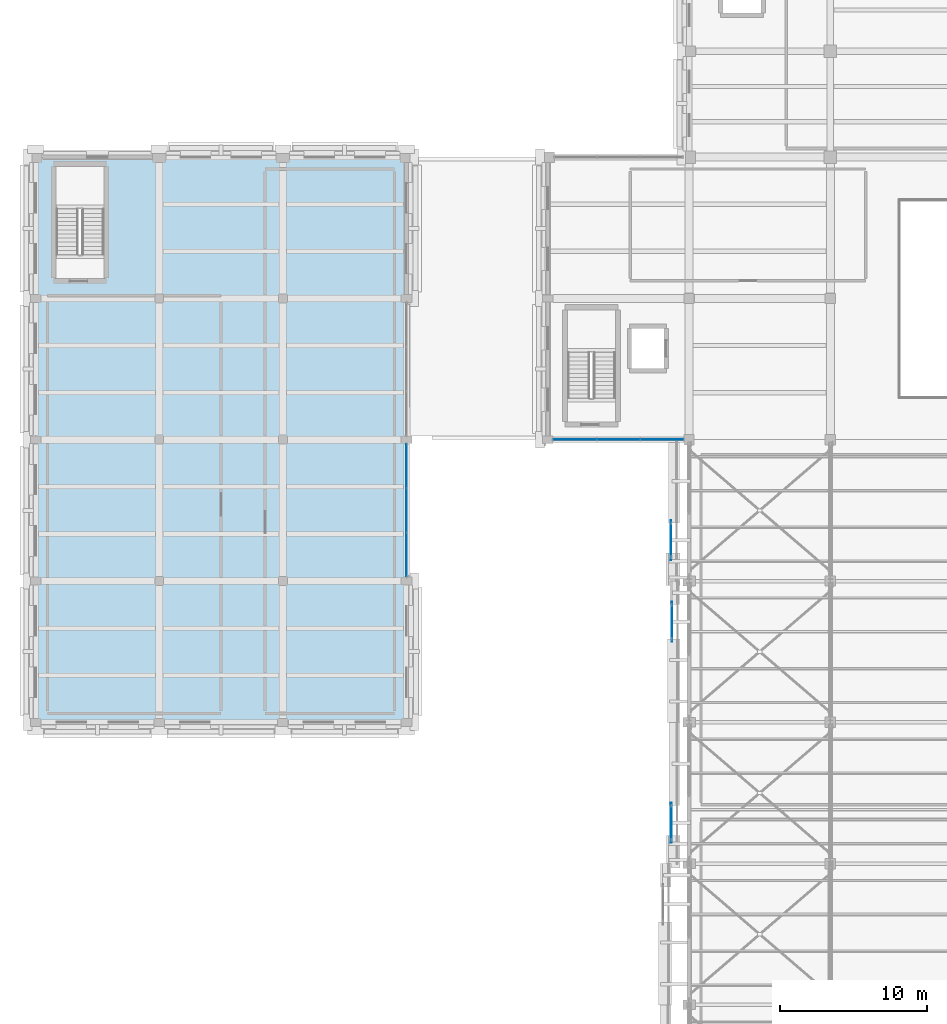
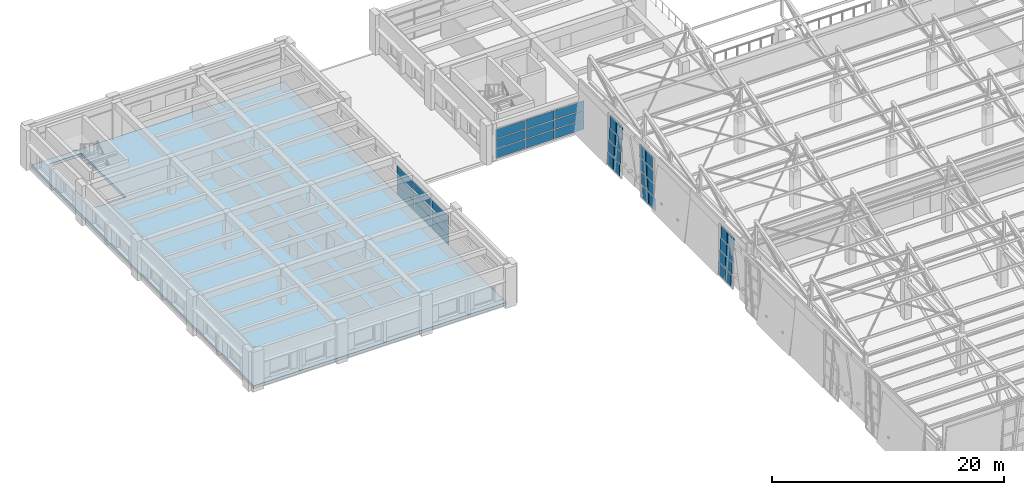
# One storey, part 34 of 71: 42 plates, 1 slab, 5 elements without a shape of their own.
"""IFC4 building model written with IfcOpenShell, lengths in metres."""

from ifc_helpers import new_model, si_unit, direction, frame, origin, origin_2d, place, context, subcontext, project, spatial, polyline, rectangle, outline, extrude, material, layer, layer_set, type_object, element, aggregate, save


model = new_model("IFC4")

# Units and contexts
model_context = context("Model", 3, precision=1e-05, world=origin(), true_north=direction((0.0, 1.0)))
body_context = subcontext(model_context, "Body", "Model", "MODEL_VIEW")
ifc_project = project(units=[si_unit("LENGTHUNIT", "METRE"), si_unit("AREAUNIT", "SQUARE_METRE"), si_unit("VOLUMEUNIT", "CUBIC_METRE"), si_unit("PLANEANGLEUNIT", "RADIAN"), si_unit("MASSUNIT", "GRAM", prefix="KILO")], contexts=[model_context])

# Site, building, storey
site_placement = place(None, origin())
site = spatial("IfcSite", under=ifc_project, at=site_placement, CompositionType="ELEMENT")
building_placement = place(site_placement, origin())
building = spatial("IfcBuilding", under=site, at=building_placement, Name="Bempovik Park Faculty of Sciences", CompositionType="ELEMENT")
storey_placement = place(building_placement, frame((0.0, 0.0, 14.10009765625)))
storey = spatial("IfcBuildingStorey", under=building, at=storey_placement, Name="L03", CompositionType="ELEMENT", Elevation=14.10009765625)

# Curtain wall, plates
ifc_material_1 = material(Name="Tempered laminated low-E glass", Category="glass")
ifc_layer_1 = layer(ifc_material_1, 0.159912109375)
ifc_layer_set_1 = layer_set([ifc_layer_1], Name="Tempered laminated low-E glass")
curtain_wall_type_1 = type_object("IfcCurtainWallType", Name="CW-41 Curtain 6600x3800", PredefinedType="USERDEFINED", material=ifc_layer_set_1)
curtain_wall_1_placement = place(storey_placement, origin())
curtain_wall_1 = element("IfcCurtainWall", 1, at=curtain_wall_1_placement, inside=storey, type_object=curtain_wall_type_1, Name="L03 Unitised Curtain Wall (67.8,50.4)", ObjectType="UNITISED CURTAIN WALL", PredefinedType="USERDEFINED")
ifc_layer_2 = layer(ifc_material_1, 0.033935546875)
ifc_layer_set_2 = layer_set([ifc_layer_2], Name="Tempered laminated low-E glass")
plate_type_1 = type_object("IfcPlateType", Name="CP-19 Curtain Panel 34mm", PredefinedType="CURTAIN_PANEL", material=ifc_layer_set_2)
plate_1_placement = place(storey_placement, frame((52.234619140625, 67.800048828125, 1.06640625), z_axis=(0.0, 0.0, 1.0), x_axis=(1.0, 0.0, 0.0)))
plate_1 = element("IfcPlate", 2, at=plate_1_placement, type_object=plate_type_1, Name="CW-BAY-L03-678-504 Panel 0-1", PredefinedType="CURTAIN_PANEL", context=body_context, shape_type="SweptSolid", body=[
    extrude(rectangle(XDim=2.88525390625, YDim=0.035888671875, at=origin_2d()), origin(), (0.0, 0.0, 1.0), 0.94677734375),
])
plate_2_placement = place(storey_placement, frame((52.234619140625, 67.800048828125, 2.09326171875), z_axis=(0.0, 0.0, 1.0), x_axis=(1.0, 0.0, 0.0)))
plate_2 = element("IfcPlate", 3, at=plate_2_placement, type_object=plate_type_1, Name="CW-BAY-L03-678-504 Panel 0-2", PredefinedType="CURTAIN_PANEL", context=body_context, shape_type="SweptSolid", body=[
    extrude(rectangle(XDim=2.88525390625, YDim=0.035888671875, at=origin_2d()), origin(), (0.0, 0.0, 1.0), 0.94677734375),
])
plate_3_placement = place(storey_placement, frame((55.199951171875, 67.800048828125, 1.06640625), z_axis=(0.0, 0.0, 1.0), x_axis=(1.0, 0.0, 0.0)))
plate_3 = element("IfcPlate", 4, at=plate_3_placement, type_object=plate_type_1, Name="CW-BAY-L03-678-504 Panel 1-1", PredefinedType="CURTAIN_PANEL", context=body_context, shape_type="SweptSolid", body=[
    extrude(rectangle(XDim=2.88525390625, YDim=0.035888671875, at=origin_2d()), origin(), (0.0, 0.0, 1.0), 0.94677734375),
])
plate_4_placement = place(storey_placement, frame((55.199951171875, 67.800048828125, 2.09326171875), z_axis=(0.0, 0.0, 1.0), x_axis=(1.0, 0.0, 0.0)))
plate_4 = element("IfcPlate", 5, at=plate_4_placement, type_object=plate_type_1, Name="CW-BAY-L03-678-504 Panel 1-2", PredefinedType="CURTAIN_PANEL", context=body_context, shape_type="SweptSolid", body=[
    extrude(rectangle(XDim=2.88525390625, YDim=0.035888671875, at=origin_2d()), origin(), (0.0, 0.0, 1.0), 0.94677734375),
])
plate_5_placement = place(storey_placement, frame((58.165283203125, 67.800048828125, 1.06640625), z_axis=(0.0, 0.0, 1.0), x_axis=(1.0, 0.0, 0.0)))
plate_5 = element("IfcPlate", 6, at=plate_5_placement, type_object=plate_type_1, Name="CW-BAY-L03-678-504 Panel 2-1", PredefinedType="CURTAIN_PANEL", context=body_context, shape_type="SweptSolid", body=[
    extrude(rectangle(XDim=2.88525390625, YDim=0.035888671875, at=origin_2d()), origin(), (0.0, 0.0, 1.0), 0.94677734375),
])
plate_6_placement = place(storey_placement, frame((58.165283203125, 67.800048828125, 2.09326171875), z_axis=(0.0, 0.0, 1.0), x_axis=(1.0, 0.0, 0.0)))
plate_6 = element("IfcPlate", 7, at=plate_6_placement, type_object=plate_type_1, Name="CW-BAY-L03-678-504 Panel 2-2", PredefinedType="CURTAIN_PANEL", context=body_context, shape_type="SweptSolid", body=[
    extrude(rectangle(XDim=2.88525390625, YDim=0.035888671875, at=origin_2d()), origin(), (0.0, 0.0, 1.0), 0.94677734375),
])

ifc_layer_3 = layer(ifc_material_1, 0.159912109375)
ifc_layer_set_3 = layer_set([ifc_layer_3], Name="Tempered laminated low-E glass")
curtain_wall_type_2 = type_object("IfcCurtainWallType", Name="CW-42 Curtain 6400x3700", PredefinedType="USERDEFINED", material=ifc_layer_set_3)
curtain_wall_2_placement = place(storey_placement, origin())
curtain_wall_2 = element("IfcCurtainWall", 8, at=curtain_wall_2_placement, inside=storey, type_object=curtain_wall_type_2, Name="L03 Unitised Curtain Wall (40.8,58.2)", ObjectType="UNITISED CURTAIN WALL", PredefinedType="USERDEFINED")
ifc_layer_4 = layer(ifc_material_1, 0.028076171875)
ifc_layer_set_4 = layer_set([ifc_layer_4], Name="Tempered laminated low-E glass")
plate_type_2 = type_object("IfcPlateType", Name="CP-20 Curtain Panel 28mm", PredefinedType="CURTAIN_PANEL", material=ifc_layer_set_4)
plate_7_placement = place(storey_placement, frame((40.800048828125, 59.981201171875, 1.06640625), z_axis=(0.0, 0.0, 1.0), x_axis=(0.0, 1.0, 0.0)))
plate_7 = element("IfcPlate", 9, at=plate_7_placement, type_object=plate_type_2, Name="CW-BAY-L03-408-582 Panel 0-1", PredefinedType="CURTAIN_PANEL", context=body_context, shape_type="SweptSolid", body=[
    extrude(rectangle(XDim=2.938720703125, YDim=0.035888671875, at=origin_2d()), origin(), (0.0, 0.0, 1.0), 0.94677734375),
])
plate_8_placement = place(storey_placement, frame((40.800048828125, 59.981201171875, 2.09326171875), z_axis=(0.0, 0.0, 1.0), x_axis=(0.0, 1.0, 0.0)))
plate_8 = element("IfcPlate", 10, at=plate_8_placement, type_object=plate_type_2, Name="CW-BAY-L03-408-582 Panel 0-2", PredefinedType="CURTAIN_PANEL", context=body_context, shape_type="SweptSolid", body=[
    extrude(rectangle(XDim=2.938720703125, YDim=0.035888671875, at=origin_2d()), origin(), (0.0, 0.0, 1.0), 0.94677734375),
])
plate_9_placement = place(storey_placement, frame((40.800048828125, 63.0, 1.06640625), z_axis=(0.0, 0.0, 1.0), x_axis=(0.0, 1.0, 0.0)))
plate_9 = element("IfcPlate", 11, at=plate_9_placement, type_object=plate_type_2, Name="CW-BAY-L03-408-582 Panel 1-1", PredefinedType="CURTAIN_PANEL", context=body_context, shape_type="SweptSolid", body=[
    extrude(rectangle(XDim=2.938720703125, YDim=0.035888671875, at=origin_2d()), origin(), (0.0, 0.0, 1.0), 0.94677734375),
])
plate_10_placement = place(storey_placement, frame((40.800048828125, 63.0, 2.09326171875), z_axis=(0.0, 0.0, 1.0), x_axis=(0.0, 1.0, 0.0)))
plate_10 = element("IfcPlate", 12, at=plate_10_placement, type_object=plate_type_2, Name="CW-BAY-L03-408-582 Panel 1-2", PredefinedType="CURTAIN_PANEL", context=body_context, shape_type="SweptSolid", body=[
    extrude(rectangle(XDim=2.938720703125, YDim=0.035888671875, at=origin_2d()), origin(), (0.0, 0.0, 1.0), 0.94677734375),
])
plate_11_placement = place(storey_placement, frame((40.800048828125, 66.018798828125, 1.06640625), z_axis=(0.0, 0.0, 1.0), x_axis=(0.0, 1.0, 0.0)))
plate_11 = element("IfcPlate", 13, at=plate_11_placement, type_object=plate_type_2, Name="CW-BAY-L03-408-582 Panel 2-1", PredefinedType="CURTAIN_PANEL", context=body_context, shape_type="SweptSolid", body=[
    extrude(rectangle(XDim=2.938720703125, YDim=0.035888671875, at=origin_2d()), origin(), (0.0, 0.0, 1.0), 0.94677734375),
])
plate_12_placement = place(storey_placement, frame((40.800048828125, 66.018798828125, 2.09326171875), z_axis=(0.0, 0.0, 1.0), x_axis=(0.0, 1.0, 0.0)))
plate_12 = element("IfcPlate", 14, at=plate_12_placement, type_object=plate_type_2, Name="CW-BAY-L03-408-582 Panel 2-2", PredefinedType="CURTAIN_PANEL", context=body_context, shape_type="SweptSolid", body=[
    extrude(rectangle(XDim=2.938720703125, YDim=0.035888671875, at=origin_2d()), origin(), (0.0, 0.0, 1.0), 0.94677734375),
])

ifc_layer_5 = layer(ifc_material_1, 0.159912109375)
ifc_layer_set_5 = layer_set([ifc_layer_5], Name="Tempered laminated low-E glass")
curtain_wall_type_3 = type_object("IfcCurtainWallType", Name="CW-33 Curtain 2400x4000", PredefinedType="USERDEFINED", material=ifc_layer_set_5)
curtain_wall_3_placement = place(storey_placement, origin())
curtain_wall_3 = element("IfcCurtainWall", 15, at=curtain_wall_3_placement, inside=storey, type_object=curtain_wall_type_3, Name="L03 Crystal Slantwise Light Fold (60.0,39.0)", ObjectType="UNITISED CURTAIN WALL", PredefinedType="USERDEFINED")
ifc_layer_6 = layer(ifc_material_1, 0.035888671875)
ifc_layer_set_6 = layer_set([ifc_layer_6], Name="Tempered laminated low-E glass")
plate_type_3 = type_object("IfcPlateType", Name="CP-22 Curtain Panel 36mm", PredefinedType="CURTAIN_PANEL", material=ifc_layer_set_6)
plate_13_placement = place(storey_placement, frame((58.78857421875, 41.455078125, -0.000244140625), z_axis=(0.0, 0.0, 1.0), x_axis=(0.0, 1.0, 0.0)))
plate_13 = element("IfcPlate", 16, at=plate_13_placement, type_object=plate_type_3, Name="CW-FOLD-L03-600-390 Panel 0-0", PredefinedType="CURTAIN_PANEL", context=body_context, shape_type="SweptSolid", body=[
    extrude(rectangle(XDim=1.070068359375, YDim=0.035888671875, at=origin_2d()), origin(), (0.0, 0.0, 1.0), 1.29248046875),
])
plate_14_placement = place(storey_placement, frame((58.78857421875, 41.284912109375, 1.372314453125), z_axis=(0.0, 0.0, 1.0), x_axis=(0.0, 1.0, 0.0)))
plate_14 = element("IfcPlate", 17, at=plate_14_placement, type_object=plate_type_3, Name="CW-FOLD-L03-600-390 Panel 0-1", PredefinedType="CURTAIN_PANEL", context=body_context, shape_type="SweptSolid", body=[
    extrude(rectangle(XDim=1.070068359375, YDim=0.035888671875, at=origin_2d()), origin(), (0.0, 0.0, 1.0), 1.29248046875),
])
plate_15_placement = place(storey_placement, frame((58.78857421875, 41.114990234375, 2.744873046875), z_axis=(0.0, 0.0, 1.0), x_axis=(0.0, 1.0, 0.0)))
plate_15 = element("IfcPlate", 18, at=plate_15_placement, type_object=plate_type_3, Name="CW-FOLD-L03-600-390 Panel 0-2", PredefinedType="CURTAIN_PANEL", context=body_context, shape_type="SweptSolid", body=[
    extrude(rectangle(XDim=1.070068359375, YDim=0.035888671875, at=origin_2d()), origin(), (0.0, 0.0, 1.0), 1.29248046875),
])
plate_16_placement = place(storey_placement, frame((58.78857421875, 40.945068359375, 4.117431640625), z_axis=(0.0, 0.0, 1.0), x_axis=(0.0, 1.0, 0.0)))
plate_16 = element("IfcPlate", 19, at=plate_16_placement, type_object=plate_type_3, Name="CW-FOLD-L03-600-390 Panel 0-3", PredefinedType="CURTAIN_PANEL", context=body_context, shape_type="SweptSolid", body=[
    extrude(rectangle(XDim=1.070068359375, YDim=0.035888671875, at=origin_2d()), origin(), (0.0, 0.0, 1.0), 1.29248046875),
])
plate_17_placement = place(storey_placement, frame((58.78857421875, 42.60498046875, -0.000244140625), z_axis=(0.0, 0.0, 1.0), x_axis=(0.0, 1.0, 0.0)))
plate_17 = element("IfcPlate", 20, at=plate_17_placement, type_object=plate_type_3, Name="CW-FOLD-L03-600-390 Panel 1-0", PredefinedType="CURTAIN_PANEL", context=body_context, shape_type="SweptSolid", body=[
    extrude(rectangle(XDim=1.070068359375, YDim=0.035888671875, at=origin_2d()), origin(), (0.0, 0.0, 1.0), 1.29248046875),
])
plate_18_placement = place(storey_placement, frame((58.78857421875, 42.43505859375, 1.372314453125), z_axis=(0.0, 0.0, 1.0), x_axis=(0.0, 1.0, 0.0)))
plate_18 = element("IfcPlate", 21, at=plate_18_placement, type_object=plate_type_3, Name="CW-FOLD-L03-600-390 Panel 1-1", PredefinedType="CURTAIN_PANEL", context=body_context, shape_type="SweptSolid", body=[
    extrude(rectangle(XDim=1.070068359375, YDim=0.035888671875, at=origin_2d()), origin(), (0.0, 0.0, 1.0), 1.29248046875),
])
plate_19_placement = place(storey_placement, frame((58.78857421875, 42.264892578125, 2.744873046875), z_axis=(0.0, 0.0, 1.0), x_axis=(0.0, 1.0, 0.0)))
plate_19 = element("IfcPlate", 22, at=plate_19_placement, type_object=plate_type_3, Name="CW-FOLD-L03-600-390 Panel 1-2", PredefinedType="CURTAIN_PANEL", context=body_context, shape_type="SweptSolid", body=[
    extrude(rectangle(XDim=1.070068359375, YDim=0.035888671875, at=origin_2d()), origin(), (0.0, 0.0, 1.0), 1.29248046875),
])
plate_20_placement = place(storey_placement, frame((58.78857421875, 42.094970703125, 4.117431640625), z_axis=(0.0, 0.0, 1.0), x_axis=(0.0, 1.0, 0.0)))
plate_20 = element("IfcPlate", 23, at=plate_20_placement, type_object=plate_type_3, Name="CW-FOLD-L03-600-390 Panel 1-3", PredefinedType="CURTAIN_PANEL", context=body_context, shape_type="SweptSolid", body=[
    extrude(rectangle(XDim=1.070068359375, YDim=0.035888671875, at=origin_2d()), origin(), (0.0, 0.0, 1.0), 1.29248046875),
])
aggregate(curtain_wall_3, [plate_13, plate_14, plate_15, plate_16, plate_17, plate_18, plate_19, plate_20])

curtain_wall_4_placement = place(storey_placement, origin())
curtain_wall_4 = element("IfcCurtainWall", 24, at=curtain_wall_4_placement, inside=storey, type_object=curtain_wall_type_3, Name="L03 Crystal Slantwise Light Fold (60.0,48.6)", ObjectType="UNITISED CURTAIN WALL", PredefinedType="USERDEFINED")
plate_21_placement = place(storey_placement, frame((58.826416015625, 54.594970703125, -0.000244140625), z_axis=(0.0, 0.0, 1.0), x_axis=(0.0, 1.0, 0.0)))
plate_21 = element("IfcPlate", 25, at=plate_21_placement, type_object=plate_type_3, Name="CW-FOLD-L03-600-486 Panel 0-0", PredefinedType="CURTAIN_PANEL", context=body_context, shape_type="SweptSolid", body=[
    extrude(rectangle(XDim=1.070068359375, YDim=0.035888671875, at=origin_2d()), origin(), (0.0, 0.0, 1.0), 1.29248046875),
])
plate_22_placement = place(storey_placement, frame((58.826416015625, 54.764892578125, 1.372314453125), z_axis=(0.0, 0.0, 1.0), x_axis=(0.0, 1.0, 0.0)))
plate_22 = element("IfcPlate", 26, at=plate_22_placement, type_object=plate_type_3, Name="CW-FOLD-L03-600-486 Panel 0-1", PredefinedType="CURTAIN_PANEL", context=body_context, shape_type="SweptSolid", body=[
    extrude(rectangle(XDim=1.070068359375, YDim=0.035888671875, at=origin_2d()), origin(), (0.0, 0.0, 1.0), 1.29248046875),
])
plate_23_placement = place(storey_placement, frame((58.826416015625, 54.93505859375, 2.744873046875), z_axis=(0.0, 0.0, 1.0), x_axis=(0.0, 1.0, 0.0)))
plate_23 = element("IfcPlate", 27, at=plate_23_placement, type_object=plate_type_3, Name="CW-FOLD-L03-600-486 Panel 0-2", PredefinedType="CURTAIN_PANEL", context=body_context, shape_type="SweptSolid", body=[
    extrude(rectangle(XDim=1.070068359375, YDim=0.035888671875, at=origin_2d()), origin(), (0.0, 0.0, 1.0), 1.29248046875),
])
plate_24_placement = place(storey_placement, frame((58.826416015625, 55.10498046875, 4.117431640625), z_axis=(0.0, 0.0, 1.0), x_axis=(0.0, 1.0, 0.0)))
plate_24 = element("IfcPlate", 28, at=plate_24_placement, type_object=plate_type_3, Name="CW-FOLD-L03-600-486 Panel 0-3", PredefinedType="CURTAIN_PANEL", context=body_context, shape_type="SweptSolid", body=[
    extrude(rectangle(XDim=1.070068359375, YDim=0.035888671875, at=origin_2d()), origin(), (0.0, 0.0, 1.0), 1.29248046875),
])
plate_25_placement = place(storey_placement, frame((58.826416015625, 55.7451171875, -0.000244140625), z_axis=(0.0, 0.0, 1.0), x_axis=(0.0, 1.0, 0.0)))
plate_25 = element("IfcPlate", 29, at=plate_25_placement, type_object=plate_type_3, Name="CW-FOLD-L03-600-486 Panel 1-0", PredefinedType="CURTAIN_PANEL", context=body_context, shape_type="SweptSolid", body=[
    extrude(rectangle(XDim=1.070068359375, YDim=0.035888671875, at=origin_2d()), origin(), (0.0, 0.0, 1.0), 1.29248046875),
])
plate_26_placement = place(storey_placement, frame((58.826416015625, 55.9150390625, 1.372314453125), z_axis=(0.0, 0.0, 1.0), x_axis=(0.0, 1.0, 0.0)))
plate_26 = element("IfcPlate", 30, at=plate_26_placement, type_object=plate_type_3, Name="CW-FOLD-L03-600-486 Panel 1-1", PredefinedType="CURTAIN_PANEL", context=body_context, shape_type="SweptSolid", body=[
    extrude(rectangle(XDim=1.070068359375, YDim=0.035888671875, at=origin_2d()), origin(), (0.0, 0.0, 1.0), 1.29248046875),
])
plate_27_placement = place(storey_placement, frame((58.826416015625, 56.0849609375, 2.744873046875), z_axis=(0.0, 0.0, 1.0), x_axis=(0.0, 1.0, 0.0)))
plate_27 = element("IfcPlate", 31, at=plate_27_placement, type_object=plate_type_3, Name="CW-FOLD-L03-600-486 Panel 1-2", PredefinedType="CURTAIN_PANEL", context=body_context, shape_type="SweptSolid", body=[
    extrude(rectangle(XDim=1.070068359375, YDim=0.035888671875, at=origin_2d()), origin(), (0.0, 0.0, 1.0), 1.29248046875),
])
plate_28_placement = place(storey_placement, frame((58.826416015625, 56.2548828125, 4.117431640625), z_axis=(0.0, 0.0, 1.0), x_axis=(0.0, 1.0, 0.0)))
plate_28 = element("IfcPlate", 32, at=plate_28_placement, type_object=plate_type_3, Name="CW-FOLD-L03-600-486 Panel 1-3", PredefinedType="CURTAIN_PANEL", context=body_context, shape_type="SweptSolid", body=[
    extrude(rectangle(XDim=1.070068359375, YDim=0.035888671875, at=origin_2d()), origin(), (0.0, 0.0, 1.0), 1.29248046875),
])
aggregate(curtain_wall_4, [plate_21, plate_22, plate_23, plate_24, plate_25, plate_26, plate_27, plate_28])

curtain_wall_5_placement = place(storey_placement, origin())
curtain_wall_5 = element("IfcCurtainWall", 33, at=curtain_wall_5_placement, inside=storey, type_object=curtain_wall_type_3, Name="L03 Crystal Slantwise Light Fold (60.0,58.2)", ObjectType="UNITISED CURTAIN WALL", PredefinedType="USERDEFINED")
plate_29_placement = place(storey_placement, frame((58.779052734375, 60.655029296875, -0.000244140625), z_axis=(0.0, 0.0, 1.0), x_axis=(0.0, 1.0, 0.0)))
plate_29 = element("IfcPlate", 34, at=plate_29_placement, type_object=plate_type_3, Name="CW-FOLD-L03-600-582 Panel 0-0", PredefinedType="CURTAIN_PANEL", context=body_context, shape_type="SweptSolid", body=[
    extrude(rectangle(XDim=1.070068359375, YDim=0.035888671875, at=origin_2d()), origin(), (0.0, 0.0, 1.0), 1.29248046875),
])
plate_30_placement = place(storey_placement, frame((58.779052734375, 60.485107421875, 1.372314453125), z_axis=(0.0, 0.0, 1.0), x_axis=(0.0, 1.0, 0.0)))
plate_30 = element("IfcPlate", 35, at=plate_30_placement, type_object=plate_type_3, Name="CW-FOLD-L03-600-582 Panel 0-1", PredefinedType="CURTAIN_PANEL", context=body_context, shape_type="SweptSolid", body=[
    extrude(rectangle(XDim=1.070068359375, YDim=0.035888671875, at=origin_2d()), origin(), (0.0, 0.0, 1.0), 1.29248046875),
])
plate_31_placement = place(storey_placement, frame((58.779052734375, 60.31494140625, 2.744873046875), z_axis=(0.0, 0.0, 1.0), x_axis=(0.0, 1.0, 0.0)))
plate_31 = element("IfcPlate", 36, at=plate_31_placement, type_object=plate_type_3, Name="CW-FOLD-L03-600-582 Panel 0-2", PredefinedType="CURTAIN_PANEL", context=body_context, shape_type="SweptSolid", body=[
    extrude(rectangle(XDim=1.070068359375, YDim=0.035888671875, at=origin_2d()), origin(), (0.0, 0.0, 1.0), 1.29248046875),
])
plate_32_placement = place(storey_placement, frame((58.779052734375, 60.14501953125, 4.117431640625), z_axis=(0.0, 0.0, 1.0), x_axis=(0.0, 1.0, 0.0)))
plate_32 = element("IfcPlate", 37, at=plate_32_placement, type_object=plate_type_3, Name="CW-FOLD-L03-600-582 Panel 0-3", PredefinedType="CURTAIN_PANEL", context=body_context, shape_type="SweptSolid", body=[
    extrude(rectangle(XDim=1.070068359375, YDim=0.035888671875, at=origin_2d()), origin(), (0.0, 0.0, 1.0), 1.29248046875),
])
plate_33_placement = place(storey_placement, frame((58.779052734375, 61.804931640625, -0.000244140625), z_axis=(0.0, 0.0, 1.0), x_axis=(0.0, 1.0, 0.0)))
plate_33 = element("IfcPlate", 38, at=plate_33_placement, type_object=plate_type_3, Name="CW-FOLD-L03-600-582 Panel 1-0", PredefinedType="CURTAIN_PANEL", context=body_context, shape_type="SweptSolid", body=[
    extrude(rectangle(XDim=1.070068359375, YDim=0.035888671875, at=origin_2d()), origin(), (0.0, 0.0, 1.0), 1.29248046875),
])
plate_34_placement = place(storey_placement, frame((58.779052734375, 61.635009765625, 1.372314453125), z_axis=(0.0, 0.0, 1.0), x_axis=(0.0, 1.0, 0.0)))
plate_34 = element("IfcPlate", 39, at=plate_34_placement, type_object=plate_type_3, Name="CW-FOLD-L03-600-582 Panel 1-1", PredefinedType="CURTAIN_PANEL", context=body_context, shape_type="SweptSolid", body=[
    extrude(rectangle(XDim=1.070068359375, YDim=0.035888671875, at=origin_2d()), origin(), (0.0, 0.0, 1.0), 1.29248046875),
])
plate_35_placement = place(storey_placement, frame((58.779052734375, 61.465087890625, 2.744873046875), z_axis=(0.0, 0.0, 1.0), x_axis=(0.0, 1.0, 0.0)))
plate_35 = element("IfcPlate", 40, at=plate_35_placement, type_object=plate_type_3, Name="CW-FOLD-L03-600-582 Panel 1-2", PredefinedType="CURTAIN_PANEL", context=body_context, shape_type="SweptSolid", body=[
    extrude(rectangle(XDim=1.070068359375, YDim=0.035888671875, at=origin_2d()), origin(), (0.0, 0.0, 1.0), 1.29248046875),
])
plate_36_placement = place(storey_placement, frame((58.779052734375, 61.294921875, 4.117431640625), z_axis=(0.0, 0.0, 1.0), x_axis=(0.0, 1.0, 0.0)))
plate_36 = element("IfcPlate", 41, at=plate_36_placement, type_object=plate_type_3, Name="CW-FOLD-L03-600-582 Panel 1-3", PredefinedType="CURTAIN_PANEL", context=body_context, shape_type="SweptSolid", body=[
    extrude(rectangle(XDim=1.070068359375, YDim=0.035888671875, at=origin_2d()), origin(), (0.0, 0.0, 1.0), 1.29248046875),
])
aggregate(curtain_wall_5, [plate_29, plate_30, plate_31, plate_32, plate_33, plate_34, plate_35, plate_36])

# Plate
ifc_material_2 = material(Name="Anodised architectural bronze")
ifc_layer_7 = layer(ifc_material_2, 0.048095703125)
ifc_layer_set_7 = layer_set([ifc_layer_7], Name="Anodised architectural bronze")
plate_type_4 = type_object("IfcPlateType", Name="CP-24 Curtain Panel 48mm", PredefinedType="CURTAIN_PANEL", material=ifc_layer_set_7)
plate_37_placement = place(storey_placement, frame((52.234619140625, 67.800048828125, 0.039794921875), z_axis=(0.0, 0.0, 1.0), x_axis=(1.0, 0.0, 0.0)))
plate_37 = element("IfcPlate", 42, at=plate_37_placement, type_object=plate_type_4, Name="CW-BAY-L03-678-504 Panel 0-0", PredefinedType="CURTAIN_PANEL", context=body_context, shape_type="SweptSolid", body=[
    extrude(rectangle(XDim=2.88525390625, YDim=0.035888671875, at=origin_2d()), origin(), (0.0, 0.0, 1.0), 0.94677734375),
])

plate_38_placement = place(storey_placement, frame((55.199951171875, 67.800048828125, 0.039794921875), z_axis=(0.0, 0.0, 1.0), x_axis=(1.0, 0.0, 0.0)))
plate_38 = element("IfcPlate", 43, at=plate_38_placement, type_object=plate_type_4, Name="CW-BAY-L03-678-504 Panel 1-0", PredefinedType="CURTAIN_PANEL", context=body_context, shape_type="SweptSolid", body=[
    extrude(rectangle(XDim=2.88525390625, YDim=0.035888671875, at=origin_2d()), origin(), (0.0, 0.0, 1.0), 0.94677734375),
])

plate_39_placement = place(storey_placement, frame((58.165283203125, 67.800048828125, 0.039794921875), z_axis=(0.0, 0.0, 1.0), x_axis=(1.0, 0.0, 0.0)))
plate_39 = element("IfcPlate", 44, at=plate_39_placement, type_object=plate_type_4, Name="CW-BAY-L03-678-504 Panel 2-0", PredefinedType="CURTAIN_PANEL", context=body_context, shape_type="SweptSolid", body=[
    extrude(rectangle(XDim=2.88525390625, YDim=0.035888671875, at=origin_2d()), origin(), (0.0, 0.0, 1.0), 0.94677734375),
])

aggregate(curtain_wall_1, [plate_37, plate_1, plate_2, plate_38, plate_3, plate_4, plate_39, plate_5, plate_6])

plate_40_placement = place(storey_placement, frame((40.800048828125, 59.981201171875, 0.039794921875), z_axis=(0.0, 0.0, 1.0), x_axis=(0.0, 1.0, 0.0)))
plate_40 = element("IfcPlate", 45, at=plate_40_placement, type_object=plate_type_4, Name="CW-BAY-L03-408-582 Panel 0-0", PredefinedType="CURTAIN_PANEL", context=body_context, shape_type="SweptSolid", body=[
    extrude(rectangle(XDim=2.938720703125, YDim=0.035888671875, at=origin_2d()), origin(), (0.0, 0.0, 1.0), 0.94677734375),
])

plate_41_placement = place(storey_placement, frame((40.800048828125, 63.0, 0.039794921875), z_axis=(0.0, 0.0, 1.0), x_axis=(0.0, 1.0, 0.0)))
plate_41 = element("IfcPlate", 46, at=plate_41_placement, type_object=plate_type_4, Name="CW-BAY-L03-408-582 Panel 1-0", PredefinedType="CURTAIN_PANEL", context=body_context, shape_type="SweptSolid", body=[
    extrude(rectangle(XDim=2.938720703125, YDim=0.035888671875, at=origin_2d()), origin(), (0.0, 0.0, 1.0), 0.94677734375),
])

plate_42_placement = place(storey_placement, frame((40.800048828125, 66.018798828125, 0.039794921875), z_axis=(0.0, 0.0, 1.0), x_axis=(0.0, 1.0, 0.0)))
plate_42 = element("IfcPlate", 47, at=plate_42_placement, type_object=plate_type_4, Name="CW-BAY-L03-408-582 Panel 2-0", PredefinedType="CURTAIN_PANEL", context=body_context, shape_type="SweptSolid", body=[
    extrude(rectangle(XDim=2.938720703125, YDim=0.035888671875, at=origin_2d()), origin(), (0.0, 0.0, 1.0), 0.94677734375),
])

aggregate(curtain_wall_2, [plate_40, plate_7, plate_8, plate_41, plate_9, plate_10, plate_42, plate_11, plate_12])

# Slab
ifc_material_3 = material(Name="Concrete C35/45", Category="concrete")
ifc_layer_8 = layer(ifc_material_3, 0.300048828125)
ifc_layer_set_8 = layer_set([ifc_layer_8], Name="Concrete C35/45")
slab_type = type_object("IfcSlabType", Name="S-25 Slab 300mm", PredefinedType="FLOOR", material=ifc_layer_set_8)
slab_placement = place(storey_placement, frame((0.0, 0.0, -0.300048828125)))
element("IfcSlab", 48, at=slab_placement, inside=storey, type_object=slab_type, Name="L03 West Laboratory Wing Floor Slab (M)", PredefinedType="FLOOR", context=body_context, shape_type="SweptSolid", body=[
    extrude(outline(polyline([(15.60009765625, 48.60009765625), (40.800048828125, 48.60009765625), (40.800048828125, 87.0), (15.60009765625, 87.0), (15.60009765625, 48.60009765625)]), holes=[polyline([(17.0, 78.75), (20.25, 78.75), (20.25, 86.375), (17.0, 86.375), (17.0, 78.75)])]), origin(), (0.0, 0.0, 1.0), 0.300048828125),
])

save(model, "model.ifc")
